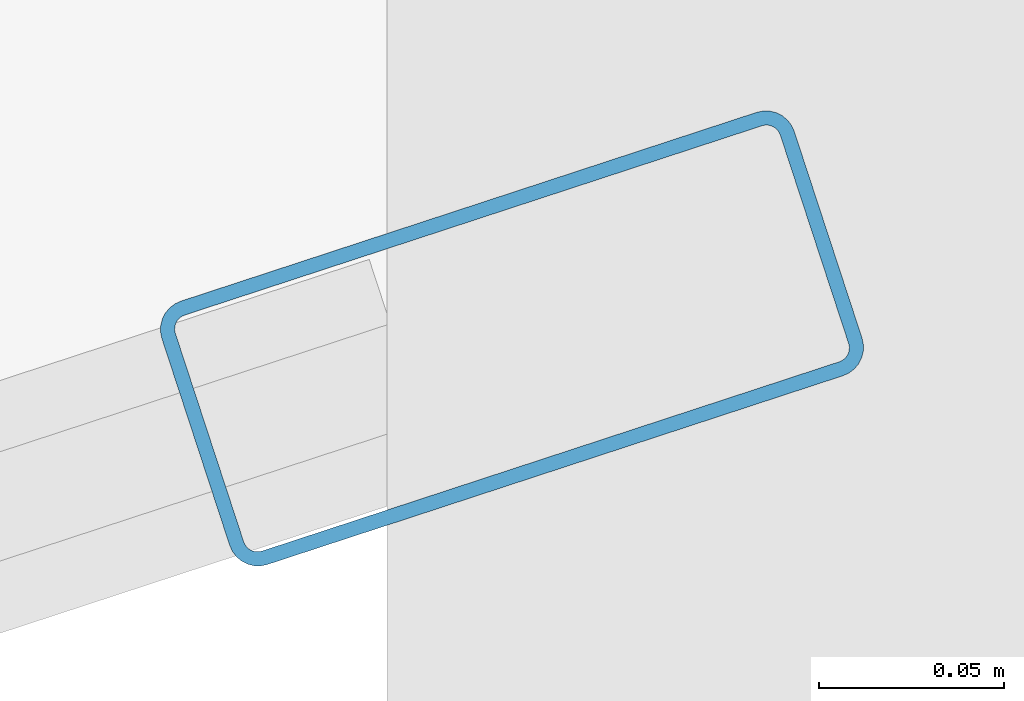
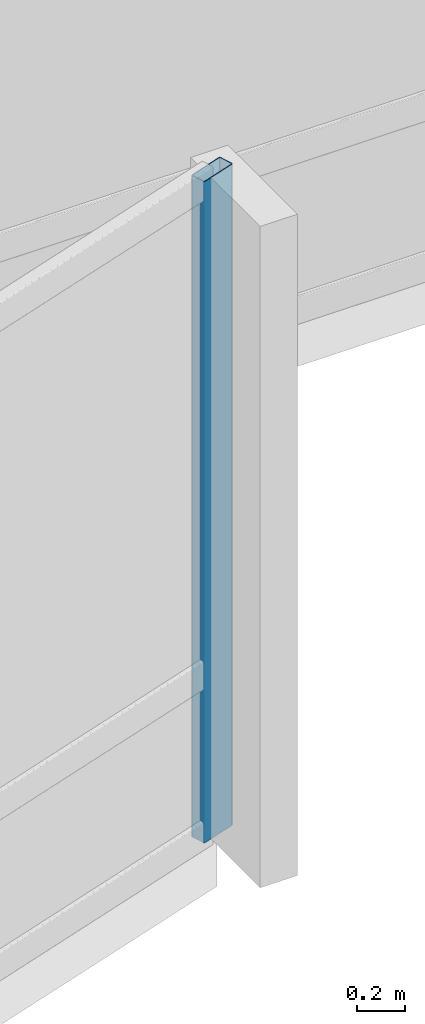
# One storey, part 10 of 35: 1 member, 1 element without a shape of its own.
"""IFC4 building model written with IfcOpenShell, lengths in metres."""

from ifc_helpers import new_model, si_unit, direction, frame, origin, origin_2d, place, context, subcontext, project, spatial, hollow_rectangle, extrude, material, layer, layer_set, material_profile, profile_set, type_object, element, aggregate, save


model = new_model("IFC4")

# Units and contexts
model_context = context("Model", 3, precision=1e-05, world=origin(), true_north=direction((0.0, 1.0)))
body_context = subcontext(model_context, "Body", "Model", "MODEL_VIEW")
ifc_project = project(units=[si_unit("LENGTHUNIT", "METRE"), si_unit("AREAUNIT", "SQUARE_METRE"), si_unit("VOLUMEUNIT", "CUBIC_METRE"), si_unit("PLANEANGLEUNIT", "RADIAN"), si_unit("MASSUNIT", "GRAM", prefix="KILO")], contexts=[model_context])

# Site, building, storey
site_placement = place(None, origin())
site = spatial("IfcSite", under=ifc_project, at=site_placement, CompositionType="ELEMENT")
building_placement = place(site_placement, origin())
building = spatial("IfcBuilding", under=site, at=building_placement, Name="Solvaryn Broadcast Tower", CompositionType="ELEMENT")
storey_placement = place(building_placement, frame((0.0, 0.0, 80.39990234375)))
storey = spatial("IfcBuildingStorey", under=building, at=storey_placement, Name="L19", CompositionType="ELEMENT", Elevation=80.39990234375)

# Curtain wall, member
ifc_material_1 = material(Name="Aluminium and Terracotta Unitised Curtain Wall", Category="masonry")
ifc_layer = layer(ifc_material_1, 0.199951171875)
ifc_layer_set = layer_set([ifc_layer], Name="CW-SYS2-LOWMID")
curtain_wall_type = type_object("IfcCurtainWallType", Name="CW-SYS2-LOWMID", PredefinedType="NOTDEFINED", material=ifc_layer_set)
curtain_wall_placement = place(storey_placement, origin())
curtain_wall = element("IfcCurtainWall", 1, at=curtain_wall_placement, inside=storey, type_object=curtain_wall_type, Name="L19 Curtain Wall DR4", PredefinedType="NOTDEFINED")
ifc_material_2 = material(Name="Anodised Aluminium 6063-T6", Category="aluminium")
ifc_material_profile = material_profile(ifc_material_2, hollow_rectangle(XDim=0.074951171875, YDim=0.179931640625, WallThickness=0.00390625, InnerFilletRadius=0.00390625, OuterFilletRadius=0.008056640625, at=origin_2d()))
ifc_profile_set = profile_set([ifc_material_profile], Name="Anodised Aluminium 6063-T6")
member_type = type_object("IfcMemberType", Name="CW-MUL-180", PredefinedType="MULLION", material=ifc_profile_set)
member_placement = place(storey_placement, frame((45.987548828125, 5.90673828125, 0.0), z_axis=(0.0, 0.0, 1.0), x_axis=(-0.311594044587, 0.950215318429, 0.0)))
member = element("IfcMember", 2, at=member_placement, type_object=member_type, Name="CWS2 mullion 2", PredefinedType="MULLION", context=body_context, shape_type="SweptSolid", body=[
    extrude(hollow_rectangle(XDim=0.074951171875, YDim=0.179931640625, WallThickness=0.00390625, InnerFilletRadius=0.00390625, OuterFilletRadius=0.008056640625, at=origin_2d()), origin(), (0.0, 0.0, 1.0), 3.3701171875),
])
aggregate(curtain_wall, [member])

save(model, "model.ifc")
